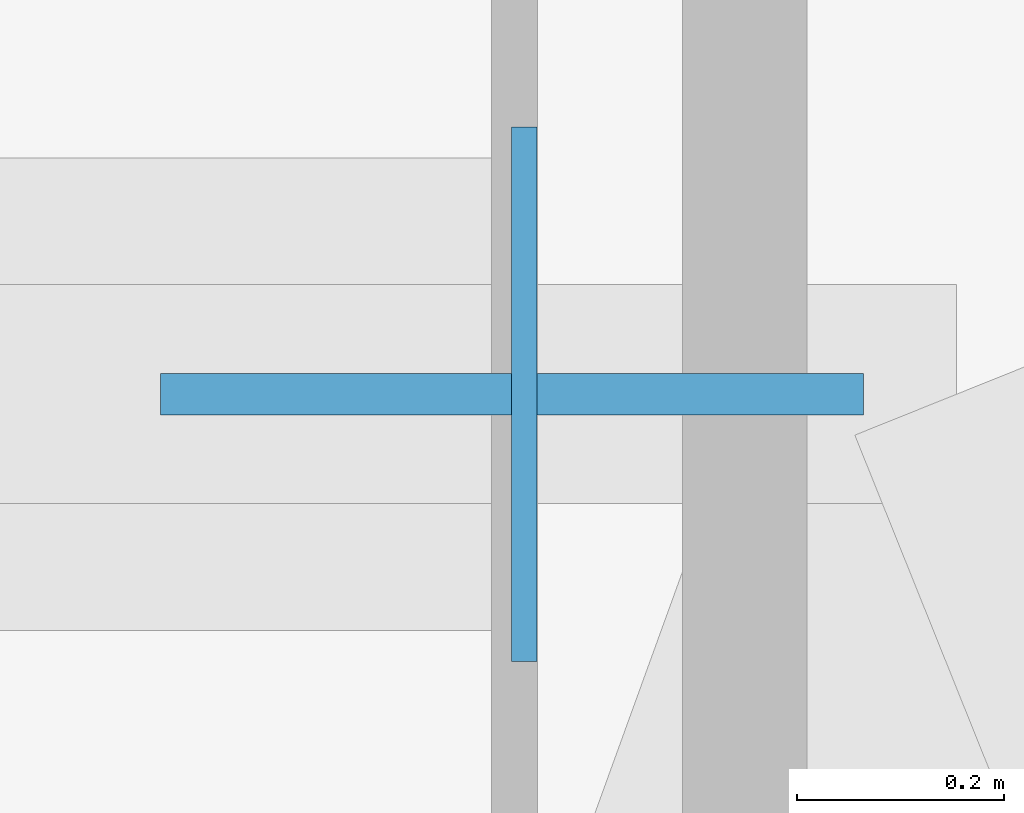
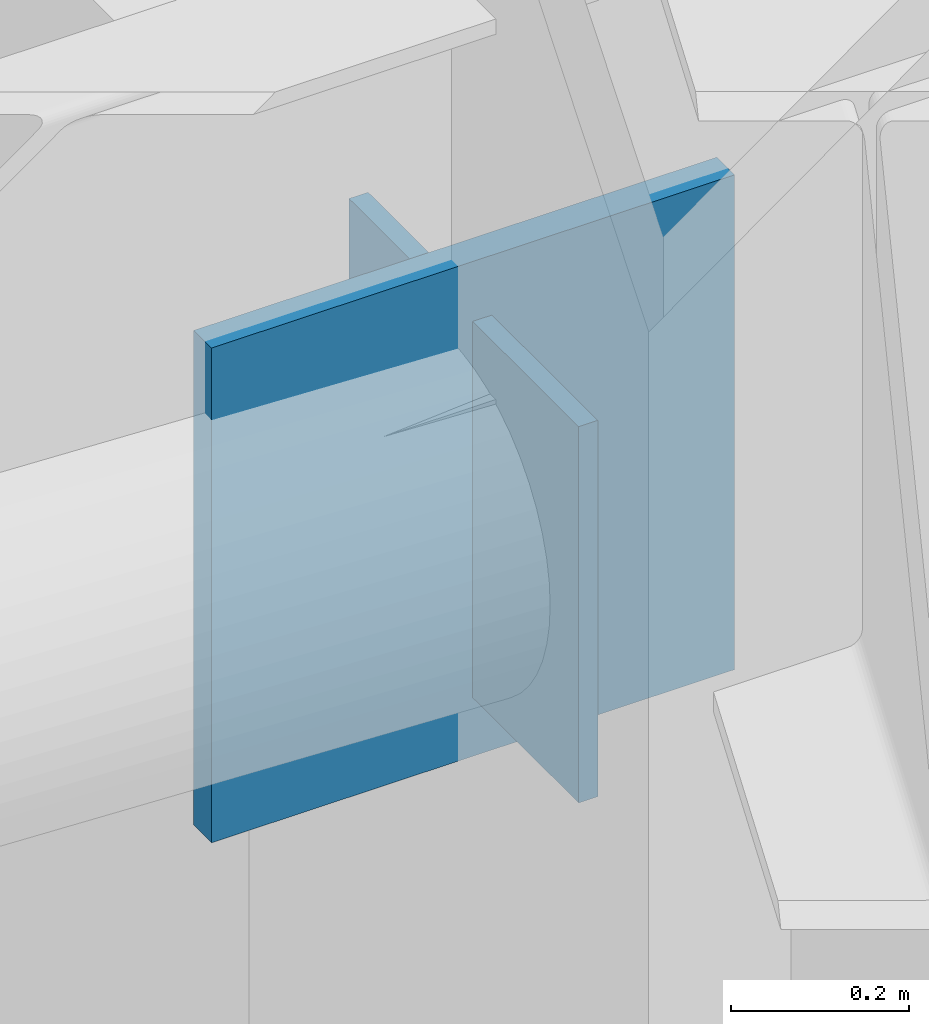
# One storey, part 4 of 12: 2 plates.
"""IFC4 building model written with IfcOpenShell, lengths in metres."""

from ifc_helpers import new_model, si_unit, direction, frame, origin, origin_2d, place, context, subcontext, project, spatial, rectangle, extrude, material, layer, layer_set, type_object, element, save


model = new_model("IFC4")

# Units and contexts
model_context = context("Model", 3, precision=1e-05, world=origin(), true_north=direction((0.0, 1.0)))
body_context = subcontext(model_context, "Body", "Model", "MODEL_VIEW")
ifc_project = project(units=[si_unit("LENGTHUNIT", "METRE"), si_unit("AREAUNIT", "SQUARE_METRE"), si_unit("VOLUMEUNIT", "CUBIC_METRE"), si_unit("PLANEANGLEUNIT", "RADIAN"), si_unit("MASSUNIT", "GRAM", prefix="KILO")], contexts=[model_context])

# Site, building, storey
site_placement = place(None, origin())
site = spatial("IfcSite", under=ifc_project, at=site_placement, CompositionType="ELEMENT")
building_placement = place(site_placement, origin())
building = spatial("IfcBuilding", under=site, at=building_placement, Name="Khamvora Tower", CompositionType="ELEMENT")
storey_placement = place(building_placement, frame((0.0, 0.0, 138.39990234375)))
storey = spatial("IfcBuildingStorey", under=building, at=storey_placement, Name="L35", CompositionType="ELEMENT", Elevation=138.39990234375)

# Plates
ifc_material_1 = material(Name="Steel S355", Category="steel")
ifc_layer_1 = layer(ifc_material_1, 0.02490234375)
ifc_layer_set_1 = layer_set([ifc_layer_1], Name="Steel S355")
plate_type_1 = type_object("IfcPlateType", Name="PL-CAP-25", PredefinedType="SHEET", material=ifc_layer_set_1)
plate_1_placement = place(storey_placement, frame((49.531982421875, 47.300048828125, 2.4384765625), z_axis=(0.0, 0.0, 1.0), x_axis=(-1.0, 0.0, 0.0)))
element("IfcPlate", 1, at=plate_1_placement, inside=storey, type_object=plate_type_1, Name="L35 hollow section steel end cap plate 0786", PredefinedType="SHEET", context=body_context, shape_type="SweptSolid", body=[
    extrude(rectangle(XDim=0.02490234375, YDim=0.51708984375, at=origin_2d()), origin(), (0.0, 0.0, 1.0), 0.51708984375),
])
ifc_material_2 = material(Name="Steel S460", Category="steel")
ifc_layer_2 = layer(ifc_material_2, 0.0400390625)
ifc_layer_set_2 = layer_set([ifc_layer_2], Name="Steel S460")
plate_type_2 = type_object("IfcPlateType", Name="PLT-GUS-40", PredefinedType="SHEET", material=ifc_layer_set_2)
plate_2_placement = place(storey_placement, frame((49.52001953125, 47.300048828125, 2.35791015625), z_axis=(0.0, 0.0, 1.0), x_axis=(1.0, 0.0, 0.0)))
element("IfcPlate", 2, at=plate_2_placement, inside=storey, type_object=plate_type_2, Name="L35 brace connection node gusset plate 0219", PredefinedType="SHEET", context=body_context, shape_type="SweptSolid", body=[
    extrude(rectangle(XDim=0.679931640625, YDim=0.0400390625, at=origin_2d()), origin(), (0.0, 0.0, 1.0), 0.679931640625),
])

save(model, "model.ifc")
